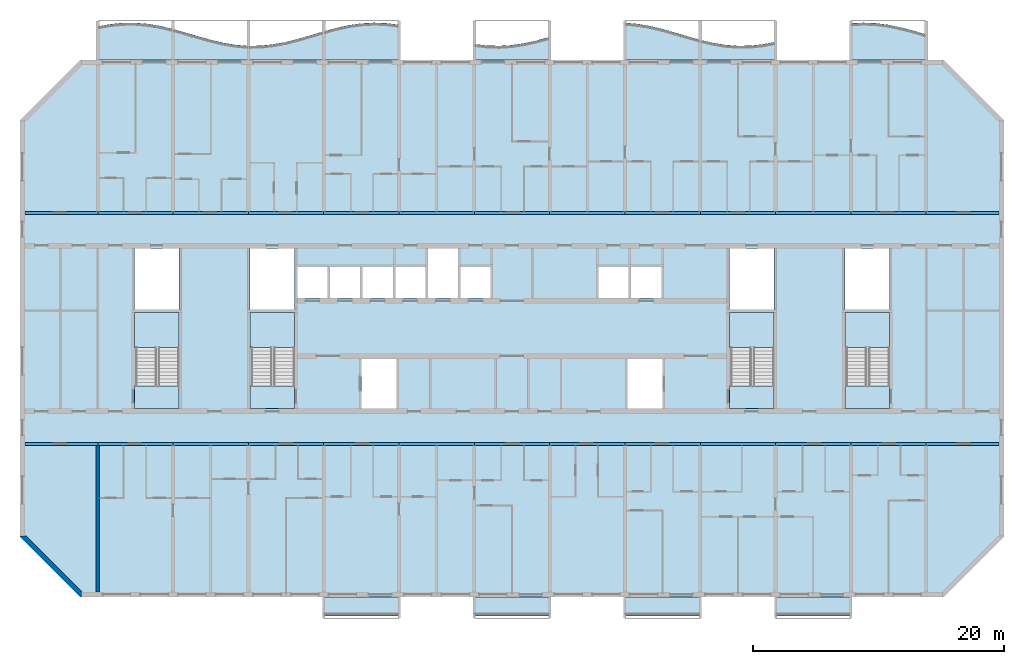
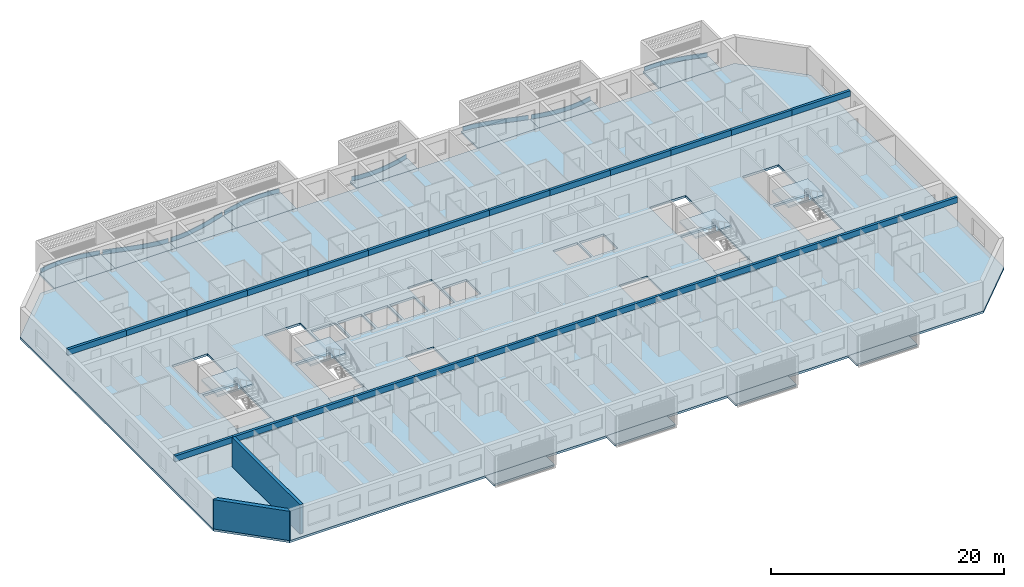
# One storey, part 1 of 32: 26 beams, 21 slabs, 8 plates, 2 walls, 4 elements without a shape of their own.
"""IFC4 building model written with IfcOpenShell, lengths in metres."""

from ifc_helpers import new_model, si_unit, direction, frame, frame_2d, origin, origin_2d, place, context, subcontext, project, spatial, polyline, rectangle, outline, extrude, source, transform, mapped, material, layer, layer_set, material_profile, profile_set, type_object, element, aggregate, save


model = new_model("IFC4")

# Units and contexts
model_context = context("Model", 3, precision=1e-05, world=origin(), true_north=direction((0.0, 1.0)))
body_context = subcontext(model_context, "Body", "Model", "MODEL_VIEW")
ifc_project = project(units=[si_unit("LENGTHUNIT", "METRE"), si_unit("AREAUNIT", "SQUARE_METRE"), si_unit("VOLUMEUNIT", "CUBIC_METRE"), si_unit("PLANEANGLEUNIT", "RADIAN"), si_unit("MASSUNIT", "GRAM", prefix="KILO")], contexts=[model_context])

# Site, building, storey
site_placement = place(None, origin())
site = spatial("IfcSite", under=ifc_project, at=site_placement, CompositionType="ELEMENT")
building_placement = place(site_placement, origin())
building = spatial("IfcBuilding", under=site, at=building_placement, Name="Poui Terraces", CompositionType="ELEMENT")
storey_placement = place(building_placement, frame((0.0, 0.0, 125.699951171875)))
storey = spatial("IfcBuildingStorey", under=building, at=storey_placement, Name="L34", CompositionType="ELEMENT", Elevation=125.699951171875)

# Beams
ifc_material_1 = material(Name="Concrete 65 MPa", Category="concrete")
ifc_material_profile = material_profile(ifc_material_1, rectangle(XDim=0.25, YDim=0.60009765625, at=origin_2d()), Name="RC 250x600")
ifc_profile_set = profile_set([ifc_material_profile], Name="Concrete 65 MPa")
beam_type = type_object("IfcBeamType", Name="COUPLING BEAM 250x600 65MPa", PredefinedType="BEAM", material=ifc_profile_set)
shared_shape_1 = source(origin(), body_context, "Body", "SweptSolid", [
    extrude(rectangle(XDim=0.25, YDim=0.60009765625, at=origin_2d()), origin(), (0.0, 0.0, 1.0), 5.800048828125),
])
for number, where, z_axis, x_axis, name in (
    (1, (12.199951171875, 12.0, 2.77001953125), (1.0, 0.0, 0.0), (0.0, 1.0, 0.0), "COUPLING BEAM LINE B BAY 1"),
    (2, (84.0, 12.0, 2.77001953125), (1.0, 0.0, 0.0), (0.0, 1.0, 0.0), "COUPLING BEAM LINE B BAY 13"),
    (3, (12.199951171875, 30.39990234375, 2.77001953125), (1.0, 0.0, 0.0), (0.0, 1.0, 0.0), "COUPLING BEAM LINE E BAY 1"),
    (4, (84.0, 30.39990234375, 2.77001953125), (1.0, 0.0, 0.0), (0.0, 1.0, 0.0), "COUPLING BEAM LINE E BAY 13"),
):
    element("IfcBeam", number, at=place(storey_placement, frame(where, z_axis=z_axis, x_axis=x_axis)), inside=storey, type_object=beam_type, Name=name, PredefinedType="BEAM", context=body_context, shape_type="MappedRepresentation", body=[
        mapped(shared_shape_1, transform((0.0, 0.0, 0.0))),
    ])
shared_shape_2 = source(origin(), body_context, "Body", "SweptSolid", [
    extrude(rectangle(XDim=0.25, YDim=0.60009765625, at=origin_2d()), origin(), (0.0, 0.0, 1.0), 6.0),
])
for number, where, z_axis, x_axis, name in (
    (5, (18.0, 12.0, 2.77001953125), (1.0, 0.0, 0.0), (0.0, 1.0, 0.0), "COUPLING BEAM LINE B BAY 2"),
    (6, (24.0, 12.0, 2.77001953125), (1.0, 0.0, 0.0), (0.0, 1.0, 0.0), "COUPLING BEAM LINE B BAY 3"),
    (7, (30.0, 12.0, 2.77001953125), (1.0, 0.0, 0.0), (0.0, 1.0, 0.0), "COUPLING BEAM LINE B BAY 4"),
    (8, (36.0, 12.0, 2.77001953125), (1.0, 0.0, 0.0), (0.0, 1.0, 0.0), "COUPLING BEAM LINE B BAY 5"),
    (9, (42.0, 12.0, 2.77001953125), (1.0, 0.0, 0.0), (0.0, 1.0, 0.0), "COUPLING BEAM LINE B BAY 6"),
    (10, (48.0, 12.0, 2.77001953125), (1.0, 0.0, 0.0), (0.0, 1.0, 0.0), "COUPLING BEAM LINE B BAY 7"),
    (11, (54.0, 12.0, 2.77001953125), (1.0, 0.0, 0.0), (0.0, 1.0, 0.0), "COUPLING BEAM LINE B BAY 8"),
    (12, (60.0, 12.0, 2.77001953125), (1.0, 0.0, 0.0), (0.0, 1.0, 0.0), "COUPLING BEAM LINE B BAY 9"),
    (13, (66.0, 12.0, 2.77001953125), (1.0, 0.0, 0.0), (0.0, 1.0, 0.0), "COUPLING BEAM LINE B BAY 10"),
    (14, (72.0, 12.0, 2.77001953125), (1.0, 0.0, 0.0), (0.0, 1.0, 0.0), "COUPLING BEAM LINE B BAY 11"),
    (15, (78.0, 12.0, 2.77001953125), (1.0, 0.0, 0.0), (0.0, 1.0, 0.0), "COUPLING BEAM LINE B BAY 12"),
    (16, (18.0, 30.39990234375, 2.77001953125), (1.0, 0.0, 0.0), (0.0, 1.0, 0.0), "COUPLING BEAM LINE E BAY 2"),
    (17, (24.0, 30.39990234375, 2.77001953125), (1.0, 0.0, 0.0), (0.0, 1.0, 0.0), "COUPLING BEAM LINE E BAY 3"),
    (18, (30.0, 30.39990234375, 2.77001953125), (1.0, 0.0, 0.0), (0.0, 1.0, 0.0), "COUPLING BEAM LINE E BAY 4"),
    (19, (36.0, 30.39990234375, 2.77001953125), (1.0, 0.0, 0.0), (0.0, 1.0, 0.0), "COUPLING BEAM LINE E BAY 5"),
    (20, (42.0, 30.39990234375, 2.77001953125), (1.0, 0.0, 0.0), (0.0, 1.0, 0.0), "COUPLING BEAM LINE E BAY 6"),
    (21, (48.0, 30.39990234375, 2.77001953125), (1.0, 0.0, 0.0), (0.0, 1.0, 0.0), "COUPLING BEAM LINE E BAY 7"),
    (22, (54.0, 30.39990234375, 2.77001953125), (1.0, 0.0, 0.0), (0.0, 1.0, 0.0), "COUPLING BEAM LINE E BAY 8"),
    (23, (60.0, 30.39990234375, 2.77001953125), (1.0, 0.0, 0.0), (0.0, 1.0, 0.0), "COUPLING BEAM LINE E BAY 9"),
    (24, (66.0, 30.39990234375, 2.77001953125), (1.0, 0.0, 0.0), (0.0, 1.0, 0.0), "COUPLING BEAM LINE E BAY 10"),
    (25, (72.0, 30.39990234375, 2.77001953125), (1.0, 0.0, 0.0), (0.0, 1.0, 0.0), "COUPLING BEAM LINE E BAY 11"),
    (26, (78.0, 30.39990234375, 2.77001953125), (1.0, 0.0, 0.0), (0.0, 1.0, 0.0), "COUPLING BEAM LINE E BAY 12"),
):
    element("IfcBeam", number, at=place(storey_placement, frame(where, z_axis=z_axis, x_axis=x_axis)), inside=storey, type_object=beam_type, Name=name, PredefinedType="BEAM", context=body_context, shape_type="MappedRepresentation", body=[
        mapped(shared_shape_2, transform((0.0, 0.0, 0.0))),
    ])

# Slabs
ifc_material_2 = material(Name="Precast concrete 40 MPa", Category="concrete")
ifc_layer_1 = layer(ifc_material_2, 0.199951171875)
ifc_layer_set_1 = layer_set([ifc_layer_1], Name="Precast concrete 40 MPa")
slab_type_1 = type_object("IfcSlabType", Name="BALCONY SLAB 200", PredefinedType="FLOOR", material=ifc_layer_set_1)
slab_1_placement = place(storey_placement, frame((0.0, 0.0, -0.199951171875)))
element("IfcSlab", 27, at=slab_1_placement, inside=storey, type_object=slab_type_1, Name="BALCONY SLAB", PredefinedType="FLOOR", context=body_context, shape_type="SweptSolid", body=[
    extrude(outline(polyline([(18.0, 42.60009765625), (24.0, 42.60009765625), (24.0, 45.043701171875), (23.0, 45.283447265625), (22.0, 45.455322265625), (21.0, 45.541748046875), (20.0, 45.53369140625), (19.0, 45.43212890625), (18.0, 45.24755859375), (18.0, 42.60009765625)])), origin(), (0.0, 0.0, 1.0), 0.199951171875),
])
slab_2_placement = place(storey_placement, frame((0.0, 0.0, -0.199951171875)))
element("IfcSlab", 28, at=slab_2_placement, inside=storey, type_object=slab_type_1, Name="BALCONY SLAB", PredefinedType="FLOOR", context=body_context, shape_type="SweptSolid", body=[
    extrude(outline(polyline([(24.0, 42.60009765625), (30.0, 42.60009765625), (30.0, 43.705322265625), (29.0, 43.7841796875), (28.0, 43.94921875), (27.0, 44.18408203125), (26.0, 44.46435546875), (25.0, 44.760986328125), (24.0, 45.043701171875), (24.0, 42.60009765625)])), origin(), (0.0, 0.0, 1.0), 0.199951171875),
])
slab_3_placement = place(storey_placement, frame((0.0, 0.0, -0.199951171875)))
element("IfcSlab", 29, at=slab_3_placement, inside=storey, type_object=slab_type_1, Name="BALCONY SLAB", PredefinedType="FLOOR", context=body_context, shape_type="SweptSolid", body=[
    extrude(outline(polyline([(30.0, 42.60009765625), (36.0, 42.60009765625), (36.0, 44.8583984375), (35.0, 44.56298828125), (34.0, 44.27392578125), (33.0, 44.02099609375), (32.0, 43.830078125), (31.0, 43.72119140625), (30.0, 43.705322265625), (30.0, 42.60009765625)])), origin(), (0.0, 0.0, 1.0), 0.199951171875),
])
slab_4_placement = place(storey_placement, frame((0.0, 0.0, -0.199951171875)))
element("IfcSlab", 30, at=slab_4_placement, inside=storey, type_object=slab_type_1, Name="BALCONY SLAB", PredefinedType="FLOOR", context=body_context, shape_type="SweptSolid", body=[
    extrude(outline(polyline([(36.0, 42.60009765625), (42.0, 42.60009765625), (42.0, 45.379150390625), (41.0, 45.510009765625), (40.0, 45.5498046875), (39.0, 45.494140625), (38.0, 45.349365234375), (37.0, 45.1298828125), (36.0, 44.8583984375), (36.0, 42.60009765625)])), origin(), (0.0, 0.0, 1.0), 0.199951171875),
])
slab_5_placement = place(storey_placement, frame((0.0, 0.0, -0.199951171875)))
element("IfcSlab", 31, at=slab_5_placement, inside=storey, type_object=slab_type_1, Name="BALCONY SLAB", PredefinedType="FLOOR", context=body_context, shape_type="SweptSolid", body=[
    extrude(outline(polyline([(48.0, 42.60009765625), (54.0, 42.60009765625), (54.0, 44.415771484375), (53.0, 44.14111328125), (52.0, 43.91650390625), (51.0, 43.7646484375), (50.0, 43.701416015625), (49.0, 43.733154296875), (48.0, 43.856689453125), (48.0, 42.60009765625)])), origin(), (0.0, 0.0, 1.0), 0.199951171875),
])
slab_6_placement = place(storey_placement, frame((0.0, 0.0, -0.199951171875)))
element("IfcSlab", 32, at=slab_6_placement, inside=storey, type_object=slab_type_1, Name="BALCONY SLAB", PredefinedType="FLOOR", context=body_context, shape_type="SweptSolid", body=[
    extrude(outline(polyline([(60.0, 42.60009765625), (66.0, 42.60009765625), (66.0, 44.18408203125), (65.0, 44.46435546875), (64.0, 44.760986328125), (63.0, 45.043701171875), (62.0, 45.283447265625), (61.0, 45.455322265625), (60.0, 45.541748046875), (60.0, 42.60009765625)])), origin(), (0.0, 0.0, 1.0), 0.199951171875),
])
slab_7_placement = place(storey_placement, frame((0.0, 0.0, -0.199951171875)))
element("IfcSlab", 33, at=slab_7_placement, inside=storey, type_object=slab_type_1, Name="BALCONY SLAB", PredefinedType="FLOOR", context=body_context, shape_type="SweptSolid", body=[
    extrude(outline(polyline([(66.0, 42.60009765625), (72.0, 42.60009765625), (72.0, 44.02099609375), (71.0, 43.830078125), (70.0, 43.72119140625), (69.0, 43.705322265625), (68.0, 43.7841796875), (67.0, 43.94921875), (66.0, 44.18408203125), (66.0, 42.60009765625)])), origin(), (0.0, 0.0, 1.0), 0.199951171875),
])
slab_8_placement = place(storey_placement, frame((0.0, 0.0, -0.199951171875)))
element("IfcSlab", 34, at=slab_8_placement, inside=storey, type_object=slab_type_1, Name="BALCONY SLAB", PredefinedType="FLOOR", context=body_context, shape_type="SweptSolid", body=[
    extrude(outline(polyline([(78.0, 42.60009765625), (84.0, 42.60009765625), (84.0, 44.612548828125), (83.0, 44.906005859375), (82.0, 45.170654296875), (81.0, 45.379150390625), (80.0, 45.510009765625), (79.0, 45.5498046875), (78.0, 45.494140625), (78.0, 42.60009765625)])), origin(), (0.0, 0.0, 1.0), 0.199951171875),
])

# Stair, slabs
stair_type = type_object("IfcStairType", Name="EXIT STAIR 1650 65 MPA", PredefinedType="HALF_TURN_STAIR", material=ifc_material_1)
stair_1_placement = place(storey_placement, origin())
stair_1 = element("IfcStair", 35, at=stair_1_placement, inside=storey, type_object=stair_type, Name="L34 CORE STAIR EAST", PredefinedType="HALF_TURN_STAIR")
ifc_layer_2 = layer(ifc_material_1, 0.199951171875)
ifc_layer_set_2 = layer_set([ifc_layer_2], Name="Concrete 65 MPa")
slab_type_2 = type_object("IfcSlabType", Name="STAIR LANDING 200 65 MPA", PredefinedType="LANDING", material=ifc_layer_set_2)
slab_9_placement = place(storey_placement, frame((0.0, 0.0, 1.449951171875)))
slab_9 = element("IfcSlab", 36, at=slab_9_placement, type_object=slab_type_2, Name="ST-CE landing 1", PredefinedType="LANDING", context=body_context, shape_type="SweptSolid", body=[
    extrude(outline(polyline([(68.324951171875, 19.679931640625), (71.875, 19.679931640625), (71.875, 22.47509765625), (68.324951171875, 22.47509765625), (68.324951171875, 19.679931640625)])), origin(), (0.0, 0.0, 1.0), 0.2001953125),
])
slab_10_placement = place(storey_placement, frame((0.0, 0.0, -0.199951171875)))
slab_10 = element("IfcSlab", 37, at=slab_10_placement, type_object=slab_type_2, Name="ST-CE landing 2", PredefinedType="LANDING", context=body_context, shape_type="SweptSolid", body=[
    extrude(outline(polyline([(68.324951171875, 14.824951171875), (71.875, 14.824951171875), (71.875, 16.60009765625), (68.324951171875, 16.60009765625), (68.324951171875, 14.824951171875)])), origin(), (0.0, 0.0, 1.0), 0.199951171875),
])
aggregate(stair_1, [slab_9, slab_10])

stair_2_placement = place(storey_placement, origin())
stair_2 = element("IfcStair", 38, at=stair_2_placement, inside=storey, type_object=stair_type, Name="L34 CORE STAIR WEST", PredefinedType="HALF_TURN_STAIR")
slab_11_placement = place(storey_placement, frame((0.0, 0.0, 1.449951171875)))
slab_11 = element("IfcSlab", 39, at=slab_11_placement, type_object=slab_type_2, Name="ST-CW landing 1", PredefinedType="LANDING", context=body_context, shape_type="SweptSolid", body=[
    extrude(outline(polyline([(30.125, 19.679931640625), (33.675048828125, 19.679931640625), (33.675048828125, 22.47509765625), (30.125, 22.47509765625), (30.125, 19.679931640625)])), origin(), (0.0, 0.0, 1.0), 0.2001953125),
])
slab_12_placement = place(storey_placement, frame((0.0, 0.0, -0.199951171875)))
slab_12 = element("IfcSlab", 40, at=slab_12_placement, type_object=slab_type_2, Name="ST-CW landing 2", PredefinedType="LANDING", context=body_context, shape_type="SweptSolid", body=[
    extrude(outline(polyline([(30.125, 14.824951171875), (33.675048828125, 14.824951171875), (33.675048828125, 16.60009765625), (30.125, 16.60009765625), (30.125, 14.824951171875)])), origin(), (0.0, 0.0, 1.0), 0.199951171875),
])
aggregate(stair_2, [slab_11, slab_12])

stair_3_placement = place(storey_placement, origin())
stair_3 = element("IfcStair", 41, at=stair_3_placement, inside=storey, type_object=stair_type, Name="L34 TIP STAIR EAST", PredefinedType="HALF_TURN_STAIR")
slab_13_placement = place(storey_placement, frame((0.0, 0.0, 1.449951171875)))
slab_13 = element("IfcSlab", 42, at=slab_13_placement, type_object=slab_type_2, Name="ST-E landing 1", PredefinedType="LANDING", context=body_context, shape_type="SweptSolid", body=[
    extrude(outline(polyline([(77.52490234375, 19.679931640625), (81.074951171875, 19.679931640625), (81.074951171875, 22.47509765625), (77.52490234375, 22.47509765625), (77.52490234375, 19.679931640625)])), origin(), (0.0, 0.0, 1.0), 0.2001953125),
])
slab_14_placement = place(storey_placement, frame((0.0, 0.0, -0.199951171875)))
slab_14 = element("IfcSlab", 43, at=slab_14_placement, type_object=slab_type_2, Name="ST-E landing 2", PredefinedType="LANDING", context=body_context, shape_type="SweptSolid", body=[
    extrude(outline(polyline([(77.52490234375, 14.824951171875), (81.074951171875, 14.824951171875), (81.074951171875, 16.60009765625), (77.52490234375, 16.60009765625), (77.52490234375, 14.824951171875)])), origin(), (0.0, 0.0, 1.0), 0.199951171875),
])
aggregate(stair_3, [slab_13, slab_14])

stair_4_placement = place(storey_placement, origin())
stair_4 = element("IfcStair", 44, at=stair_4_placement, inside=storey, type_object=stair_type, Name="L34 TIP STAIR WEST", PredefinedType="HALF_TURN_STAIR")
slab_15_placement = place(storey_placement, frame((0.0, 0.0, 1.449951171875)))
slab_15 = element("IfcSlab", 45, at=slab_15_placement, type_object=slab_type_2, Name="ST-W landing 1", PredefinedType="LANDING", context=body_context, shape_type="SweptSolid", body=[
    extrude(outline(polyline([(20.925048828125, 19.679931640625), (24.47509765625, 19.679931640625), (24.47509765625, 22.47509765625), (20.925048828125, 22.47509765625), (20.925048828125, 19.679931640625)])), origin(), (0.0, 0.0, 1.0), 0.2001953125),
])
slab_16_placement = place(storey_placement, frame((0.0, 0.0, -0.199951171875)))
slab_16 = element("IfcSlab", 46, at=slab_16_placement, type_object=slab_type_2, Name="ST-W landing 2", PredefinedType="LANDING", context=body_context, shape_type="SweptSolid", body=[
    extrude(outline(polyline([(20.925048828125, 14.824951171875), (24.47509765625, 14.824951171875), (24.47509765625, 16.60009765625), (20.925048828125, 16.60009765625), (20.925048828125, 14.824951171875)])), origin(), (0.0, 0.0, 1.0), 0.199951171875),
])
aggregate(stair_4, [slab_15, slab_16])

# Plates
ifc_layer_3 = layer(ifc_material_2, 0.080078125)
ifc_layer_set_3 = layer_set([ifc_layer_3], Name="Precast concrete 40 MPa")
plate_type = type_object("IfcPlateType", Name="SUNSHADE UPSTAND 80", PredefinedType="SHEET", material=ifc_layer_set_3)
plate_1_placement = place(storey_placement, origin())
element("IfcPlate", 47, at=plate_1_placement, inside=storey, type_object=plate_type, Name="SUNSHADE UPSTAND", PredefinedType="SHEET", context=body_context, shape_type="SweptSolid", body=[
    extrude(outline(polyline([(18.994384765625, 45.427001953125), (18.117919921875, 45.26904296875), (18.132080078125, 45.190185546875), (19.005615234375, 45.34765625), (20.002197265625, 45.44873046875), (20.998291015625, 45.456787109375), (21.994873046875, 45.37060546875), (22.991943359375, 45.19921875), (23.86572265625, 44.992919921875), (23.88427734375, 45.070556640625), (23.008056640625, 45.277587890625), (22.005126953125, 45.449951171875), (21.001708984375, 45.53662109375), (19.997802734375, 45.52880859375), (18.994384765625, 45.427001953125)])), origin(), (0.0, 0.0, 1.0), 0.449951171875),
])
plate_2_placement = place(storey_placement, origin())
element("IfcPlate", 48, at=plate_2_placement, inside=storey, type_object=plate_type, Name="SUNSHADE UPSTAND", PredefinedType="SHEET", context=body_context, shape_type="SweptSolid", body=[
    extrude(outline(polyline([(25.01123046875, 44.75439453125), (24.135986328125, 45.00390625), (24.114013671875, 44.9267578125), (24.98876953125, 44.677734375), (25.989013671875, 44.380859375), (26.989990234375, 44.100341796875), (27.9921875, 43.864990234375), (28.9951171875, 43.69921875), (29.87158203125, 43.625244140625), (29.87841796875, 43.704833984375), (29.0048828125, 43.77880859375), (28.0078125, 43.943603515625), (27.010009765625, 44.177978515625), (26.010986328125, 44.457763671875), (25.01123046875, 44.75439453125)])), origin(), (0.0, 0.0, 1.0), 0.449951171875),
])
plate_3_placement = place(storey_placement, origin())
element("IfcPlate", 49, at=plate_3_placement, inside=storey, type_object=plate_type, Name="SUNSHADE UPSTAND", PredefinedType="SHEET", context=body_context, shape_type="SweptSolid", body=[
    extrude(outline(polyline([(30.997314453125, 43.71630859375), (30.1240234375, 43.697021484375), (30.1259765625, 43.6171875), (31.002685546875, 43.63623046875), (32.005859375, 43.74560546875), (33.0087890625, 43.93701171875), (34.010498046875, 44.190185546875), (35.01123046875, 44.4794921875), (35.886474609375, 44.73876953125), (35.863525390625, 44.8154296875), (34.98876953125, 44.556396484375), (33.989501953125, 44.267578125), (32.9912109375, 44.014892578125), (31.994140625, 43.82470703125), (30.997314453125, 43.71630859375)])), origin(), (0.0, 0.0, 1.0), 0.449951171875),
])
plate_4_placement = place(storey_placement, origin())
element("IfcPlate", 50, at=plate_4_placement, inside=storey, type_object=plate_type, Name="SUNSHADE UPSTAND", PredefinedType="SHEET", context=body_context, shape_type="SweptSolid", body=[
    extrude(outline(polyline([(36.990478515625, 45.123779296875), (36.114501953125, 44.887939453125), (36.135498046875, 44.810546875), (37.009521484375, 45.0458984375), (38.007080078125, 45.264892578125), (39.00390625, 45.409423828125), (40.000244140625, 45.464599609375), (40.99658203125, 45.425048828125), (41.8701171875, 45.3154296875), (41.8798828125, 45.394775390625), (41.00341796875, 45.5048828125), (39.999755859375, 45.544677734375), (38.99609375, 45.489013671875), (37.992919921875, 45.34375), (36.990478515625, 45.123779296875)])), origin(), (0.0, 0.0, 1.0), 0.449951171875),
])
plate_5_placement = place(storey_placement, origin())
element("IfcPlate", 51, at=plate_5_placement, inside=storey, type_object=plate_type, Name="SUNSHADE UPSTAND", PredefinedType="SHEET", context=body_context, shape_type="SweptSolid", body=[
    extrude(outline(polyline([(49.0029296875, 43.72802734375), (48.129638671875, 43.831298828125), (48.120361328125, 43.751953125), (48.9970703125, 43.648193359375), (50.00048828125, 43.6162109375), (51.00439453125, 43.6796875), (52.00732421875, 43.83203125), (53.009521484375, 44.057373046875), (53.885498046875, 44.2958984375), (53.864501953125, 44.373291015625), (52.990478515625, 44.135009765625), (51.99267578125, 43.91064453125), (50.99560546875, 43.759521484375), (49.99951171875, 43.6962890625), (49.0029296875, 43.72802734375)])), origin(), (0.0, 0.0, 1.0), 0.449951171875),
])
plate_6_placement = place(storey_placement, origin())
element("IfcPlate", 52, at=plate_6_placement, inside=storey, type_object=plate_type, Name="SUNSHADE UPSTAND", PredefinedType="SHEET", context=body_context, shape_type="SweptSolid", body=[
    extrude(outline(polyline([(61.005126953125, 45.449951171875), (60.166259765625, 45.52734375), (60.128662109375, 45.530517578125), (60.121337890625, 45.451171875), (60.994873046875, 45.37060546875), (61.991943359375, 45.19921875), (62.989990234375, 44.960205078125), (63.989013671875, 44.677734375), (64.989013671875, 44.381103515625), (65.864013671875, 44.1337890625), (65.885986328125, 44.210693359375), (65.010986328125, 44.457763671875), (64.010986328125, 44.75439453125), (63.010009765625, 45.03759765625), (62.008056640625, 45.277587890625), (61.005126953125, 45.449951171875)])), origin(), (0.0, 0.0, 1.0), 0.449951171875),
])
plate_7_placement = place(storey_placement, origin())
element("IfcPlate", 53, at=plate_7_placement, inside=storey, type_object=plate_type, Name="SUNSHADE UPSTAND", PredefinedType="SHEET", context=body_context, shape_type="SweptSolid", body=[
    extrude(outline(polyline([(67.0078125, 43.943603515625), (66.134033203125, 44.145751953125), (66.115966796875, 44.06787109375), (66.9921875, 43.864990234375), (67.9951171875, 43.69921875), (68.998779296875, 43.620361328125), (70.00244140625, 43.63623046875), (71.005859375, 43.74560546875), (71.88232421875, 43.908935546875), (71.86767578125, 43.987548828125), (70.994140625, 43.82470703125), (69.99755859375, 43.71630859375), (69.001220703125, 43.700439453125), (68.0048828125, 43.77880859375), (67.0078125, 43.943603515625)])), origin(), (0.0, 0.0, 1.0), 0.449951171875),
])
plate_8_placement = place(storey_placement, origin())
element("IfcPlate", 54, at=plate_8_placement, inside=storey, type_object=plate_type, Name="SUNSHADE UPSTAND", PredefinedType="SHEET", context=body_context, shape_type="SweptSolid", body=[
    extrude(outline(polyline([(78.999755859375, 45.544677734375), (78.15087890625, 45.502685546875), (78.123046875, 45.5009765625), (78.126953125, 45.42138671875), (79.000244140625, 45.464599609375), (79.99658203125, 45.425048828125), (80.993408203125, 45.294677734375), (81.99072265625, 45.0869140625), (82.9892578125, 44.822509765625), (83.86376953125, 44.56640625), (83.88623046875, 44.643310546875), (83.0107421875, 44.899658203125), (82.00927734375, 45.164794921875), (81.006591796875, 45.37353515625), (80.00341796875, 45.5048828125), (78.999755859375, 45.544677734375)])), origin(), (0.0, 0.0, 1.0), 0.449951171875),
])

# Slabs
ifc_material_3 = material(Name="Concrete 40 MPa", Category="concrete")
ifc_layer_4 = layer(ifc_material_3, 0.22998046875)
ifc_layer_set_4 = layer_set([ifc_layer_4], Name="Concrete 40 MPa")
slab_type_3 = type_object("IfcSlabType", Name="FLOOR SLAB 230", PredefinedType="FLOOR", material=ifc_layer_set_4)
shared_shape_3 = source(origin(), body_context, "Body", "SweptSolid", [
    extrude(outline(polyline([(0.0, 0.0), (4.800048828125, -4.800048828125), (73.599853515625, -4.800048828125), (78.39990234375, 0.0), (78.39990234375, 33.199951171875), (73.599853515625, 38.0), (4.800048828125, 38.0), (0.0, 33.199951171875), (0.0, 0.0)]), holes=[polyline([(27.199951171875, 10.224853515625), (27.199951171875, 14.1748046875), (30.0, 14.1748046875), (30.0, 10.224853515625), (27.199951171875, 10.224853515625)]), polyline([(9.224853515625, 17.849853515625), (12.675048828125, 17.849853515625), (12.675048828125, 12.0), (12.675048828125, 10.224853515625), (9.125, 10.224853515625), (9.125, 12.0), (9.224853515625, 12.0), (9.224853515625, 17.849853515625)]), polyline([(18.425048828125, 17.849853515625), (21.875, 17.849853515625), (21.875, 12.0), (21.875, 10.224853515625), (18.324951171875, 10.224853515625), (18.324951171875, 12.0), (18.425048828125, 12.0), (18.425048828125, 17.849853515625)]), polyline([(22.099853515625, 19.02490234375), (22.099853515625, 21.5), (24.5, 21.5), (24.5, 19.02490234375), (22.099853515625, 19.02490234375)]), polyline([(24.699951171875, 19.02490234375), (24.699951171875, 21.5), (27.099853515625, 21.5), (27.099853515625, 19.02490234375), (24.699951171875, 19.02490234375)]), polyline([(27.300048828125, 19.02490234375), (27.300048828125, 21.5), (29.699951171875, 21.5), (29.699951171875, 19.02490234375), (27.300048828125, 19.02490234375)]), polyline([(29.89990234375, 19.02490234375), (29.89990234375, 21.5), (32.300048828125, 21.5), (32.300048828125, 19.02490234375), (29.89990234375, 19.02490234375)]), polyline([(9.125, 22.974853515625), (12.675048828125, 22.974853515625), (12.675048828125, 18.125), (9.125, 18.125), (9.125, 22.974853515625)]), polyline([(18.324951171875, 22.974853515625), (21.875, 22.974853515625), (21.875, 18.125), (18.324951171875, 18.125), (18.324951171875, 22.974853515625)]), polyline([(48.39990234375, 10.224853515625), (48.39990234375, 14.1748046875), (51.199951171875, 14.1748046875), (51.199951171875, 10.224853515625), (48.39990234375, 10.224853515625)]), polyline([(56.625, 17.849853515625), (60.074951171875, 17.849853515625), (60.074951171875, 12.0), (60.074951171875, 10.224853515625), (56.52490234375, 10.224853515625), (56.52490234375, 12.0), (56.625, 12.0), (56.625, 17.849853515625)]), polyline([(65.824951171875, 17.849853515625), (69.27490234375, 17.849853515625), (69.27490234375, 12.0), (69.27490234375, 10.224853515625), (65.724853515625, 10.224853515625), (65.724853515625, 12.0), (65.824951171875, 12.0), (65.824951171875, 17.849853515625)]), polyline([(35.099853515625, 19.02490234375), (35.099853515625, 21.5), (37.5, 21.5), (37.5, 19.02490234375), (35.099853515625, 19.02490234375)]), polyline([(46.099853515625, 19.02490234375), (46.099853515625, 21.5), (48.5, 21.5), (48.5, 19.02490234375), (46.099853515625, 19.02490234375)]), polyline([(48.699951171875, 19.02490234375), (48.699951171875, 21.5), (51.099853515625, 21.5), (51.099853515625, 19.02490234375), (48.699951171875, 19.02490234375)]), polyline([(56.52490234375, 18.125), (56.52490234375, 22.974853515625), (60.074951171875, 22.974853515625), (60.074951171875, 18.125), (56.52490234375, 18.125)]), polyline([(65.724853515625, 22.974853515625), (69.27490234375, 22.974853515625), (69.27490234375, 18.125), (65.724853515625, 18.125), (65.724853515625, 22.974853515625)]), polyline([(32.5, 22.974853515625), (34.89990234375, 22.974853515625), (34.89990234375, 19.02490234375), (32.5, 19.02490234375), (32.5, 22.974853515625)])]), origin(), (0.0, 0.0, 1.0), 0.22998046875),
])
slab_17_placement = place(storey_placement, frame((11.800048828125, 4.60009765625, -0.22998046875)))
element("IfcSlab", 55, at=slab_17_placement, inside=storey, type_object=slab_type_3, Name="FLOOR SLAB", PredefinedType="FLOOR", context=body_context, shape_type="MappedRepresentation", body=[
    mapped(shared_shape_3, transform((0.0, 0.0, 0.0))),
])
ifc_layer_5 = layer(ifc_material_2, 0.199951171875)
ifc_layer_set_5 = layer_set([ifc_layer_5], Name="Precast concrete 40 MPa")
slab_type_4 = type_object("IfcSlabType", Name="REAR BALCONY SLAB 200", PredefinedType="FLOOR", material=ifc_layer_set_5)
shared_shape_4 = source(origin(), body_context, "Body", "SweptSolid", [
    extrude(outline(polyline([(0.0, 0.0), (6.0, 0.0), (6.0, 1.5), (0.0, 1.5), (0.0, 0.0)])), origin(), (0.0, 0.0, 1.0), 0.199951171875),
])
for number, where, name in (
    (56, (36.0, -1.699951171875, -0.199951171875), "REAR BALCONY SLAB"),
    (57, (48.0, -1.699951171875, -0.199951171875), "REAR BALCONY SLAB"),
    (58, (60.0, -1.699951171875, -0.199951171875), "REAR BALCONY SLAB"),
    (59, (72.0, -1.699951171875, -0.199951171875), "REAR BALCONY SLAB"),
):
    element("IfcSlab", number, at=place(storey_placement, frame(where)), inside=storey, type_object=slab_type_4, Name=name, PredefinedType="FLOOR", context=body_context, shape_type="MappedRepresentation", body=[
        mapped(shared_shape_4, transform((0.0, 0.0, 0.0))),
    ])

# Walls
ifc_layer_6 = layer(ifc_material_1, 0.300048828125)
ifc_layer_set_6 = layer_set([ifc_layer_6], Name="Concrete 65 MPa")
wall_type_1 = type_object("IfcWallType", Name="CROSS WALL 300 65MPa", PredefinedType="SHEAR", material=ifc_layer_set_6)
wall_1_placement = place(storey_placement, frame((18.0, 0.199951171875, 0.0), z_axis=(0.0, 0.0, 1.0), x_axis=(0.0, 1.0, 0.0)))
element("IfcWall", 60, at=wall_1_placement, inside=storey, type_object=wall_type_1, Name="CROSS WALL LINE 4 SOUTH", PredefinedType="SHEAR", context=body_context, shape_type="SweptSolid", body=[
    extrude(rectangle(XDim=11.675048828125, YDim=0.300048828125, at=frame_2d((5.83740234375, 0.0))), origin(), (0.0, 0.0, 1.0), 3.070068359375),
])
ifc_layer_7 = layer(ifc_material_2, 0.39990234375)
ifc_layer_set_7 = layer_set([ifc_layer_7], Name="Precast concrete 40 MPa")
wall_type_2 = type_object("IfcWallType", Name="TERRACOTTA CLAD CHAMFER WALL 400", PredefinedType="STANDARD", material=ifc_layer_set_7)
wall_2_placement = place(storey_placement, origin())
element("IfcWall", 61, at=wall_2_placement, inside=storey, type_object=wall_type_2, Name="CHAMFER WALL CH07", PredefinedType="STANDARD", context=body_context, shape_type="SweptSolid", body=[
    extrude(outline(polyline([(11.800048828125, 4.682861328125), (11.800048828125, 4.60009765625), (16.60009765625, -0.199951171875), (16.682861328125, -0.199951171875), (16.682861328125, 0.28271484375), (12.28271484375, 4.682861328125), (11.800048828125, 4.682861328125)])), origin(), (0.0, 0.0, 1.0), 3.070068359375),
])

save(model, "model.ifc")
